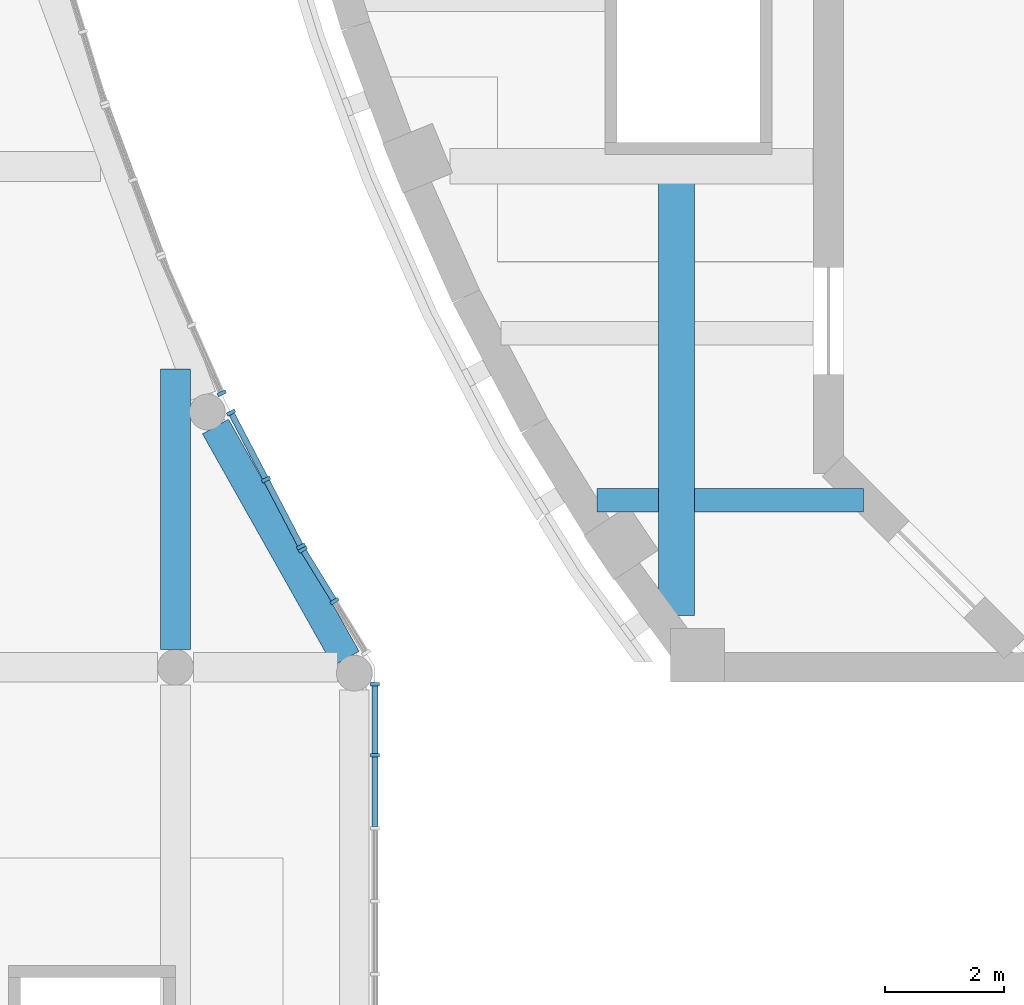
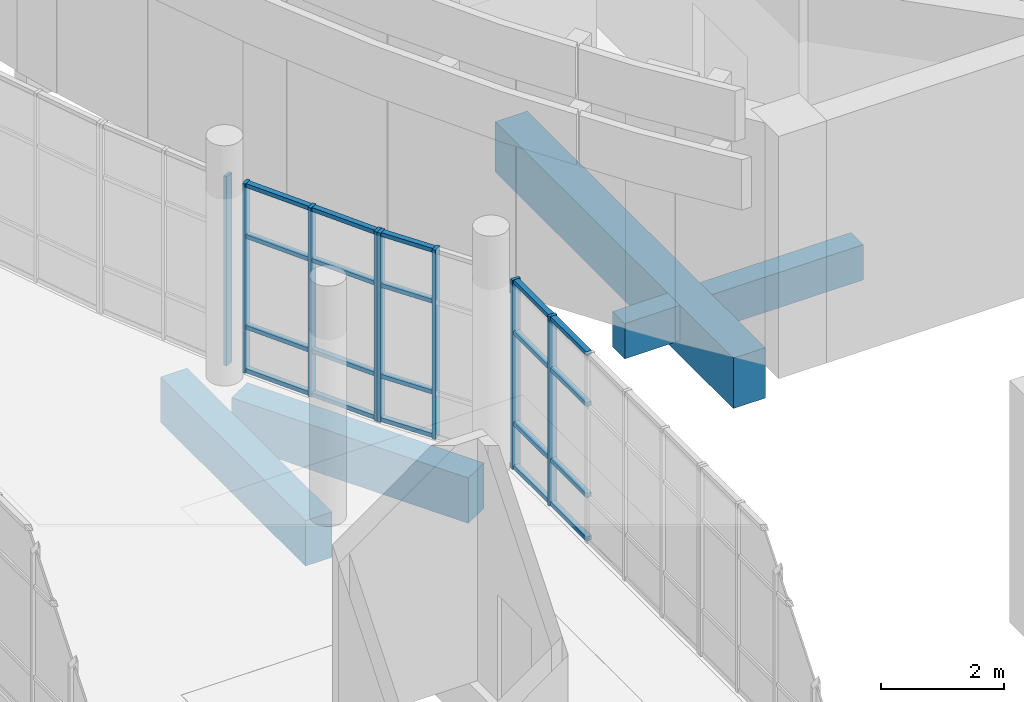
# One storey, part 9 of 119: 28 members, 5 beams, 4 elements without a shape of their own.
"""IFC4 building model written with IfcOpenShell, lengths in metres."""

from ifc_helpers import new_model, si_unit, direction, frame, origin, origin_2d, place, context, subcontext, project, spatial, rectangle, extrude, material, layer, layer_set, material_profile, profile_set, type_object, element, aggregate, save


model = new_model("IFC4")

# Units and contexts
model_context = context("Model", 3, precision=1e-05, world=origin(), true_north=direction((0.0, 1.0)))
body_context = subcontext(model_context, "Body", "Model", "MODEL_VIEW")
ifc_project = project(units=[si_unit("LENGTHUNIT", "METRE"), si_unit("AREAUNIT", "SQUARE_METRE"), si_unit("VOLUMEUNIT", "CUBIC_METRE"), si_unit("PLANEANGLEUNIT", "RADIAN"), si_unit("MASSUNIT", "GRAM", prefix="KILO")], contexts=[model_context])

# Site, building, storey
site_placement = place(None, origin())
site = spatial("IfcSite", under=ifc_project, at=site_placement, CompositionType="ELEMENT")
building_placement = place(site_placement, origin())
building = spatial("IfcBuilding", under=site, at=building_placement, Name="Larchfold Concert Hall", CompositionType="ELEMENT")
storey_placement = place(building_placement, frame((0.0, 0.0, 4.800048828125)))
storey = spatial("IfcBuildingStorey", under=building, at=storey_placement, Name="L01", CompositionType="ELEMENT", Elevation=4.800048828125)

# Curtain wall, members
ifc_material_1 = material(Name="Anodised graphite aluminium curtain wall", Category="aluminium")
ifc_layer = layer(ifc_material_1, 0.14990234375)
ifc_layer_set = layer_set([ifc_layer], Name="Anodised graphite aluminium curtain wall")
curtain_wall_type = type_object("IfcCurtainWallType", Name="Curtain wall WG", PredefinedType="NOTDEFINED", material=ifc_layer_set)
curtain_wall_1_placement = place(storey_placement, origin())
curtain_wall_1 = element("IfcCurtainWall", 1, at=curtain_wall_1_placement, inside=storey, type_object=curtain_wall_type, Name="Curtain wall CW0137", PredefinedType="NOTDEFINED")
ifc_material_2 = material(Name="Anodised graphite aluminium mullion", Category="aluminium")
ifc_material_profile_1 = material_profile(ifc_material_2, rectangle(XDim=0.14990234375, YDim=0.06005859375, at=origin_2d()))
ifc_profile_set_1 = profile_set([ifc_material_profile_1], Name="Anodised graphite aluminium mullion")
member_type_1 = type_object("IfcMemberType", Name="Aluminium mullion 60x150", PredefinedType="MULLION", material=ifc_profile_set_1)
member_1_placement = place(storey_placement, frame((20.06591796875, 60.509765625, 0.0), z_axis=(0.0, 0.0, 1.0), x_axis=(-0.851674367978, -0.52407134145, 0.0)))
member_1 = element("IfcMember", 2, at=member_1_placement, type_object=member_type_1, Name="CW0137 mullion 2", PredefinedType="MULLION", context=body_context, shape_type="SweptSolid", body=[
    extrude(rectangle(XDim=0.14990234375, YDim=0.06005859375, at=origin_2d()), origin(), (0.0, 0.0, 1.0), 3.75),
])
member_2_placement = place(storey_placement, frame((19.5341796875, 61.373779296875, 0.0), z_axis=(0.0, 0.0, 1.0), x_axis=(-0.851674367978, -0.52407134145, 0.0)))
member_2 = element("IfcMember", 3, at=member_2_placement, type_object=member_type_1, Name="CW0137 mullion 3", PredefinedType="MULLION", context=body_context, shape_type="SweptSolid", body=[
    extrude(rectangle(XDim=0.14990234375, YDim=0.06005859375, at=origin_2d()), origin(), (0.0, 0.0, 1.0), 3.75),
])

curtain_wall_2_placement = place(storey_placement, origin())
curtain_wall_2 = element("IfcCurtainWall", 4, at=curtain_wall_2_placement, inside=storey, type_object=curtain_wall_type, Name="Curtain wall CW0138", PredefinedType="NOTDEFINED")
member_3_placement = place(storey_placement, frame((19.504638671875, 61.426025390625, 0.0), z_axis=(0.0, 0.0, 1.0), x_axis=(-0.886258835455, -0.463190324357, 0.0)))
member_3 = element("IfcMember", 5, at=member_3_placement, type_object=member_type_1, Name="CW0138 mullion 1", PredefinedType="MULLION", context=body_context, shape_type="SweptSolid", body=[
    extrude(rectangle(XDim=0.14990234375, YDim=0.06005859375, at=origin_2d()), origin(), (0.0, 0.0, 1.0), 3.75),
])
member_4_placement = place(storey_placement, frame((18.918212890625, 62.548095703125, 0.0), z_axis=(0.0, 0.0, 1.0), x_axis=(-0.886258835455, -0.463190324357, 0.0)))
member_4 = element("IfcMember", 6, at=member_4_placement, type_object=member_type_1, Name="CW0138 mullion 2", PredefinedType="MULLION", context=body_context, shape_type="SweptSolid", body=[
    extrude(rectangle(XDim=0.14990234375, YDim=0.06005859375, at=origin_2d()), origin(), (0.0, 0.0, 1.0), 3.75),
])
member_5_placement = place(storey_placement, frame((18.331787109375, 63.670166015625, 0.0), z_axis=(0.0, 0.0, 1.0), x_axis=(-0.886258835455, -0.463190324357, 0.0)))
member_5 = element("IfcMember", 7, at=member_5_placement, type_object=member_type_1, Name="CW0138 mullion 3", PredefinedType="MULLION", context=body_context, shape_type="SweptSolid", body=[
    extrude(rectangle(XDim=0.14990234375, YDim=0.06005859375, at=origin_2d()), origin(), (0.0, 0.0, 1.0), 3.75),
])

# Curtain wall, member
curtain_wall_3_placement = place(storey_placement, origin())
curtain_wall_3 = element("IfcCurtainWall", 8, at=curtain_wall_3_placement, inside=storey, type_object=curtain_wall_type, Name="Curtain wall CW0139", PredefinedType="NOTDEFINED")
member_6_placement = place(storey_placement, frame((18.17578125, 63.995361328125, 0.0), z_axis=(0.0, 0.0, 1.0), x_axis=(-0.914747417506, -0.40402618995, 0.0)))
member_6 = element("IfcMember", 9, at=member_6_placement, type_object=member_type_1, Name="CW0139 mullion 1", PredefinedType="MULLION", context=body_context, shape_type="SweptSolid", body=[
    extrude(rectangle(XDim=0.14990234375, YDim=0.06005859375, at=origin_2d()), origin(), (0.0, 0.0, 1.0), 3.75),
])
aggregate(curtain_wall_3, [member_6])

# Curtain wall, members
curtain_wall_4_placement = place(storey_placement, origin())
curtain_wall_4 = element("IfcCurtainWall", 10, at=curtain_wall_4_placement, inside=storey, type_object=curtain_wall_type, Name="Curtain wall CW0213", PredefinedType="NOTDEFINED")
member_7_placement = place(storey_placement, frame((20.748779296875, 57.92138671875, 0.0), z_axis=(0.0, 0.0, 1.0), x_axis=(-1.0, 0.0, 0.0)))
member_7 = element("IfcMember", 11, at=member_7_placement, type_object=member_type_1, Name="CW0213 mullion 5", PredefinedType="MULLION", context=body_context, shape_type="SweptSolid", body=[
    extrude(rectangle(XDim=0.14990234375, YDim=0.06005859375, at=origin_2d()), origin(), (0.0, 0.0, 1.0), 3.75),
])
member_8_placement = place(storey_placement, frame((20.748779296875, 59.113037109375, 0.0), z_axis=(0.0, 0.0, 1.0), x_axis=(-1.0, 0.0, 0.0)))
member_8 = element("IfcMember", 12, at=member_8_placement, type_object=member_type_1, Name="CW0213 mullion 6", PredefinedType="MULLION", context=body_context, shape_type="SweptSolid", body=[
    extrude(rectangle(XDim=0.14990234375, YDim=0.06005859375, at=origin_2d()), origin(), (0.0, 0.0, 1.0), 3.75),
])

# Member
ifc_material_3 = material(Name="Anodised graphite aluminium transom", Category="aluminium")
ifc_material_profile_2 = material_profile(ifc_material_3, rectangle(XDim=0.10009765625, YDim=0.080078125, at=origin_2d()))
ifc_profile_set_2 = profile_set([ifc_material_profile_2], Name="Anodised graphite aluminium transom")
member_type_2 = type_object("IfcMemberType", Name="Aluminium transom 80x100", PredefinedType="USERDEFINED", material=ifc_profile_set_2)
member_9_placement = place(storey_placement, frame((20.05029296875, 60.535400390625, 0.0400390625), z_axis=(-0.524054615194, 0.851684660126, 0.0), x_axis=(-0.851684660126, -0.524054615194, 0.0)))
member_9 = element("IfcMember", 13, at=member_9_placement, type_object=member_type_2, Name="CW0137 transom 2.1", ObjectType="TRANSOM", PredefinedType="USERDEFINED", context=body_context, shape_type="SweptSolid", body=[
    extrude(rectangle(XDim=0.10009765625, YDim=0.080078125, at=origin_2d()), origin(), (0.0, 0.0, 1.0), 0.95458984375),
])

member_10_placement = place(storey_placement, frame((20.05029296875, 60.535400390625, 0.89990234375), z_axis=(-0.524054615194, 0.851684660126, 0.0), x_axis=(-0.851684660126, -0.524054615194, 0.0)))
member_10 = element("IfcMember", 14, at=member_10_placement, type_object=member_type_2, Name="CW0137 transom 2.2", ObjectType="TRANSOM", PredefinedType="USERDEFINED", context=body_context, shape_type="SweptSolid", body=[
    extrude(rectangle(XDim=0.10009765625, YDim=0.080078125, at=origin_2d()), origin(), (0.0, 0.0, 1.0), 0.95458984375),
])

member_11_placement = place(storey_placement, frame((20.05029296875, 60.535400390625, 2.699951171875), z_axis=(-0.524054615194, 0.851684660126, 0.0), x_axis=(-0.851684660126, -0.524054615194, 0.0)))
member_11 = element("IfcMember", 15, at=member_11_placement, type_object=member_type_2, Name="CW0137 transom 2.3", ObjectType="TRANSOM", PredefinedType="USERDEFINED", context=body_context, shape_type="SweptSolid", body=[
    extrude(rectangle(XDim=0.10009765625, YDim=0.080078125, at=origin_2d()), origin(), (0.0, 0.0, 1.0), 0.95458984375),
])

member_12_placement = place(storey_placement, frame((20.05029296875, 60.535400390625, 3.7099609375), z_axis=(-0.524054615194, 0.851684660126, 0.0), x_axis=(-0.851684660126, -0.524054615194, 0.0)))
member_12 = element("IfcMember", 16, at=member_12_placement, type_object=member_type_2, Name="CW0137 transom 2.4", ObjectType="TRANSOM", PredefinedType="USERDEFINED", context=body_context, shape_type="SweptSolid", body=[
    extrude(rectangle(XDim=0.10009765625, YDim=0.080078125, at=origin_2d()), origin(), (0.0, 0.0, 1.0), 0.95458984375),
])

aggregate(curtain_wall_1, [member_1, member_2, member_9, member_10, member_11, member_12])

member_13_placement = place(storey_placement, frame((19.49072265625, 61.45263671875, 0.0400390625), z_axis=(-0.463174711118, 0.886266995313, 0.0), x_axis=(-0.886266995313, -0.463174711118, 0.0)))
member_13 = element("IfcMember", 17, at=member_13_placement, type_object=member_type_2, Name="CW0138 transom 1.1", ObjectType="TRANSOM", PredefinedType="USERDEFINED", context=body_context, shape_type="SweptSolid", body=[
    extrude(rectangle(XDim=0.10009765625, YDim=0.080078125, at=origin_2d()), origin(), (0.0, 0.0, 1.0), 1.2060546875),
])

member_14_placement = place(storey_placement, frame((19.49072265625, 61.45263671875, 0.89990234375), z_axis=(-0.463174711118, 0.886266995313, 0.0), x_axis=(-0.886266995313, -0.463174711118, 0.0)))
member_14 = element("IfcMember", 18, at=member_14_placement, type_object=member_type_2, Name="CW0138 transom 1.2", ObjectType="TRANSOM", PredefinedType="USERDEFINED", context=body_context, shape_type="SweptSolid", body=[
    extrude(rectangle(XDim=0.10009765625, YDim=0.080078125, at=origin_2d()), origin(), (0.0, 0.0, 1.0), 1.2060546875),
])

member_15_placement = place(storey_placement, frame((19.49072265625, 61.45263671875, 2.699951171875), z_axis=(-0.463174711118, 0.886266995313, 0.0), x_axis=(-0.886266995313, -0.463174711118, 0.0)))
member_15 = element("IfcMember", 19, at=member_15_placement, type_object=member_type_2, Name="CW0138 transom 1.3", ObjectType="TRANSOM", PredefinedType="USERDEFINED", context=body_context, shape_type="SweptSolid", body=[
    extrude(rectangle(XDim=0.10009765625, YDim=0.080078125, at=origin_2d()), origin(), (0.0, 0.0, 1.0), 1.2060546875),
])

member_16_placement = place(storey_placement, frame((19.49072265625, 61.45263671875, 3.7099609375), z_axis=(-0.463174711118, 0.886266995313, 0.0), x_axis=(-0.886266995313, -0.463174711118, 0.0)))
member_16 = element("IfcMember", 20, at=member_16_placement, type_object=member_type_2, Name="CW0138 transom 1.4", ObjectType="TRANSOM", PredefinedType="USERDEFINED", context=body_context, shape_type="SweptSolid", body=[
    extrude(rectangle(XDim=0.10009765625, YDim=0.080078125, at=origin_2d()), origin(), (0.0, 0.0, 1.0), 1.2060546875),
])

member_17_placement = place(storey_placement, frame((18.904296875, 62.57470703125, 0.0400390625), z_axis=(-0.463174711118, 0.886266995313, 0.0), x_axis=(-0.886266995313, -0.463174711118, 0.0)))
member_17 = element("IfcMember", 21, at=member_17_placement, type_object=member_type_2, Name="CW0138 transom 2.1", ObjectType="TRANSOM", PredefinedType="USERDEFINED", context=body_context, shape_type="SweptSolid", body=[
    extrude(rectangle(XDim=0.10009765625, YDim=0.080078125, at=origin_2d()), origin(), (0.0, 0.0, 1.0), 1.2060546875),
])

member_18_placement = place(storey_placement, frame((18.904296875, 62.57470703125, 0.89990234375), z_axis=(-0.463174711118, 0.886266995313, 0.0), x_axis=(-0.886266995313, -0.463174711118, 0.0)))
member_18 = element("IfcMember", 22, at=member_18_placement, type_object=member_type_2, Name="CW0138 transom 2.2", ObjectType="TRANSOM", PredefinedType="USERDEFINED", context=body_context, shape_type="SweptSolid", body=[
    extrude(rectangle(XDim=0.10009765625, YDim=0.080078125, at=origin_2d()), origin(), (0.0, 0.0, 1.0), 1.2060546875),
])

member_19_placement = place(storey_placement, frame((18.904296875, 62.57470703125, 2.699951171875), z_axis=(-0.463174711118, 0.886266995313, 0.0), x_axis=(-0.886266995313, -0.463174711118, 0.0)))
member_19 = element("IfcMember", 23, at=member_19_placement, type_object=member_type_2, Name="CW0138 transom 2.3", ObjectType="TRANSOM", PredefinedType="USERDEFINED", context=body_context, shape_type="SweptSolid", body=[
    extrude(rectangle(XDim=0.10009765625, YDim=0.080078125, at=origin_2d()), origin(), (0.0, 0.0, 1.0), 1.2060546875),
])

member_20_placement = place(storey_placement, frame((18.904296875, 62.57470703125, 3.7099609375), z_axis=(-0.463174711118, 0.886266995313, 0.0), x_axis=(-0.886266995313, -0.463174711118, 0.0)))
member_20 = element("IfcMember", 24, at=member_20_placement, type_object=member_type_2, Name="CW0138 transom 2.4", ObjectType="TRANSOM", PredefinedType="USERDEFINED", context=body_context, shape_type="SweptSolid", body=[
    extrude(rectangle(XDim=0.10009765625, YDim=0.080078125, at=origin_2d()), origin(), (0.0, 0.0, 1.0), 1.2060546875),
])

aggregate(curtain_wall_2, [member_3, member_4, member_5, member_13, member_14, member_15, member_16, member_17, member_18, member_19, member_20])

member_21_placement = place(storey_placement, frame((20.748779296875, 56.7294921875, 0.0400390625), z_axis=(0.0, 1.0, 0.0), x_axis=(-1.0, 0.0, 0.0)))
member_21 = element("IfcMember", 25, at=member_21_placement, type_object=member_type_2, Name="CW0213 transom 4.1", ObjectType="TRANSOM", PredefinedType="USERDEFINED", context=body_context, shape_type="SweptSolid", body=[
    extrude(rectangle(XDim=0.10009765625, YDim=0.080078125, at=origin_2d()), origin(), (0.0, 0.0, 1.0), 1.161865234375),
])

member_22_placement = place(storey_placement, frame((20.748779296875, 56.7294921875, 0.89990234375), z_axis=(0.0, 1.0, 0.0), x_axis=(-1.0, 0.0, 0.0)))
member_22 = element("IfcMember", 26, at=member_22_placement, type_object=member_type_2, Name="CW0213 transom 4.2", ObjectType="TRANSOM", PredefinedType="USERDEFINED", context=body_context, shape_type="SweptSolid", body=[
    extrude(rectangle(XDim=0.10009765625, YDim=0.080078125, at=origin_2d()), origin(), (0.0, 0.0, 1.0), 1.161865234375),
])

member_23_placement = place(storey_placement, frame((20.748779296875, 56.7294921875, 2.699951171875), z_axis=(0.0, 1.0, 0.0), x_axis=(-1.0, 0.0, 0.0)))
member_23 = element("IfcMember", 27, at=member_23_placement, type_object=member_type_2, Name="CW0213 transom 4.3", ObjectType="TRANSOM", PredefinedType="USERDEFINED", context=body_context, shape_type="SweptSolid", body=[
    extrude(rectangle(XDim=0.10009765625, YDim=0.080078125, at=origin_2d()), origin(), (0.0, 0.0, 1.0), 1.161865234375),
])

member_24_placement = place(storey_placement, frame((20.748779296875, 56.7294921875, 3.7099609375), z_axis=(0.0, 1.0, 0.0), x_axis=(-1.0, 0.0, 0.0)))
member_24 = element("IfcMember", 28, at=member_24_placement, type_object=member_type_2, Name="CW0213 transom 4.4", ObjectType="TRANSOM", PredefinedType="USERDEFINED", context=body_context, shape_type="SweptSolid", body=[
    extrude(rectangle(XDim=0.10009765625, YDim=0.080078125, at=origin_2d()), origin(), (0.0, 0.0, 1.0), 1.161865234375),
])

member_25_placement = place(storey_placement, frame((20.748779296875, 57.951171875, 0.0400390625), z_axis=(0.0, 1.0, 0.0), x_axis=(-1.0, 0.0, 0.0)))
member_25 = element("IfcMember", 29, at=member_25_placement, type_object=member_type_2, Name="CW0213 transom 5.1", ObjectType="TRANSOM", PredefinedType="USERDEFINED", context=body_context, shape_type="SweptSolid", body=[
    extrude(rectangle(XDim=0.10009765625, YDim=0.080078125, at=origin_2d()), origin(), (0.0, 0.0, 1.0), 1.1318359375),
])

member_26_placement = place(storey_placement, frame((20.748779296875, 57.951171875, 0.89990234375), z_axis=(0.0, 1.0, 0.0), x_axis=(-1.0, 0.0, 0.0)))
member_26 = element("IfcMember", 30, at=member_26_placement, type_object=member_type_2, Name="CW0213 transom 5.2", ObjectType="TRANSOM", PredefinedType="USERDEFINED", context=body_context, shape_type="SweptSolid", body=[
    extrude(rectangle(XDim=0.10009765625, YDim=0.080078125, at=origin_2d()), origin(), (0.0, 0.0, 1.0), 1.1318359375),
])

member_27_placement = place(storey_placement, frame((20.748779296875, 57.951171875, 2.699951171875), z_axis=(0.0, 1.0, 0.0), x_axis=(-1.0, 0.0, 0.0)))
member_27 = element("IfcMember", 31, at=member_27_placement, type_object=member_type_2, Name="CW0213 transom 5.3", ObjectType="TRANSOM", PredefinedType="USERDEFINED", context=body_context, shape_type="SweptSolid", body=[
    extrude(rectangle(XDim=0.10009765625, YDim=0.080078125, at=origin_2d()), origin(), (0.0, 0.0, 1.0), 1.1318359375),
])

member_28_placement = place(storey_placement, frame((20.748779296875, 57.951171875, 3.7099609375), z_axis=(0.0, 1.0, 0.0), x_axis=(-1.0, 0.0, 0.0)))
member_28 = element("IfcMember", 32, at=member_28_placement, type_object=member_type_2, Name="CW0213 transom 5.4", ObjectType="TRANSOM", PredefinedType="USERDEFINED", context=body_context, shape_type="SweptSolid", body=[
    extrude(rectangle(XDim=0.10009765625, YDim=0.080078125, at=origin_2d()), origin(), (0.0, 0.0, 1.0), 1.1318359375),
])

aggregate(curtain_wall_4, [member_7, member_8, member_21, member_22, member_23, member_24, member_25, member_26, member_27, member_28])

# Beams
ifc_material_4 = material(Name="Concrete C35/45", Category="concrete")
ifc_material_profile_3 = material_profile(ifc_material_4, rectangle(XDim=0.39990234375, YDim=0.699951171875, at=origin_2d()))
ifc_profile_set_3 = profile_set([ifc_material_profile_3], Name="Concrete C35/45")
beam_type_1 = type_object("IfcBeamType", Name="Beam RC 400x700", PredefinedType="BEAM", material=ifc_profile_set_3)
beam_1_placement = place(storey_placement, frame((24.465087890625, 62.199951171875, -0.550048828125), z_axis=(1.0, 0.0, 0.0), x_axis=(0.0, 1.0, 0.0)))
element("IfcBeam", 33, at=beam_1_placement, inside=storey, type_object=beam_type_1, Name="Beam B1219", PredefinedType="BEAM", context=body_context, shape_type="SweptSolid", body=[
    extrude(rectangle(XDim=0.39990234375, YDim=0.699951171875, at=origin_2d()), origin(), (0.0, 0.0, 1.0), 1.034912109375),
])
beam_2_placement = place(storey_placement, frame((26.10009765625, 62.199951171875, -0.550048828125), z_axis=(1.0, 0.0, 0.0), x_axis=(0.0, 1.0, 0.0)))
element("IfcBeam", 34, at=beam_2_placement, inside=storey, type_object=beam_type_1, Name="Beam B1220", PredefinedType="BEAM", context=body_context, shape_type="SweptSolid", body=[
    extrude(rectangle(XDim=0.39990234375, YDim=0.699951171875, at=origin_2d()), origin(), (0.0, 0.0, 1.0), 2.8359375),
])
ifc_material_5 = material(Name="Concrete C35/45", Category="concrete")
ifc_material_profile_4 = material_profile(ifc_material_5, rectangle(XDim=0.5, YDim=0.89990234375, at=origin_2d()))
ifc_profile_set_4 = profile_set([ifc_material_profile_4], Name="Concrete C35/45")
beam_type_2 = type_object("IfcBeamType", Name="Beam RC 500x900", PredefinedType="BEAM", material=ifc_profile_set_4)
beam_3_placement = place(storey_placement, frame((18.0703125, 63.43603515625, -0.60009765625), z_axis=(0.490712804951, -0.871321377597, 0.0), x_axis=(0.871321377597, 0.490712804951, 0.0)))
element("IfcBeam", 35, at=beam_3_placement, inside=storey, type_object=beam_type_2, Name="Beam B1891", PredefinedType="BEAM", context=body_context, shape_type="SweptSolid", body=[
    extrude(rectangle(XDim=0.5, YDim=0.89990234375, at=origin_2d()), origin(), (0.0, 0.0, 1.0), 4.4658203125),
])
beam_4_placement = place(storey_placement, frame((17.39990234375, 59.69873046875, -0.60009765625), z_axis=(0.0, 1.0, 0.0), x_axis=(-1.0, 0.0, 0.0)))
element("IfcBeam", 36, at=beam_4_placement, inside=storey, type_object=beam_type_2, Name="Beam B1898", PredefinedType="BEAM", context=body_context, shape_type="SweptSolid", body=[
    extrude(rectangle(XDim=0.5, YDim=0.89990234375, at=origin_2d()), origin(), (0.0, 0.0, 1.0), 4.699951171875),
])
ifc_material_6 = material(Name="Concrete C35/45", Category="concrete")
ifc_material_profile_5 = material_profile(ifc_material_6, rectangle(XDim=0.60009765625, YDim=1.0, at=origin_2d()))
ifc_profile_set_5 = profile_set([ifc_material_profile_5], Name="Concrete C35/45")
beam_type_3 = type_object("IfcBeamType", Name="Beam RC 600x1000", PredefinedType="BEAM", material=ifc_profile_set_5)
beam_5_placement = place(storey_placement, frame((25.800048828125, 60.271240234375, -0.699951171875), z_axis=(0.0, 1.0, 0.0), x_axis=(-1.0, 0.0, 0.0)))
element("IfcBeam", 37, at=beam_5_placement, inside=storey, type_object=beam_type_3, Name="Beam B1183", PredefinedType="BEAM", context=body_context, shape_type="SweptSolid", body=[
    extrude(rectangle(XDim=0.60009765625, YDim=1.0, at=origin_2d()), origin(), (0.0, 0.0, 1.0), 7.728759765625),
])

save(model, "model.ifc")
